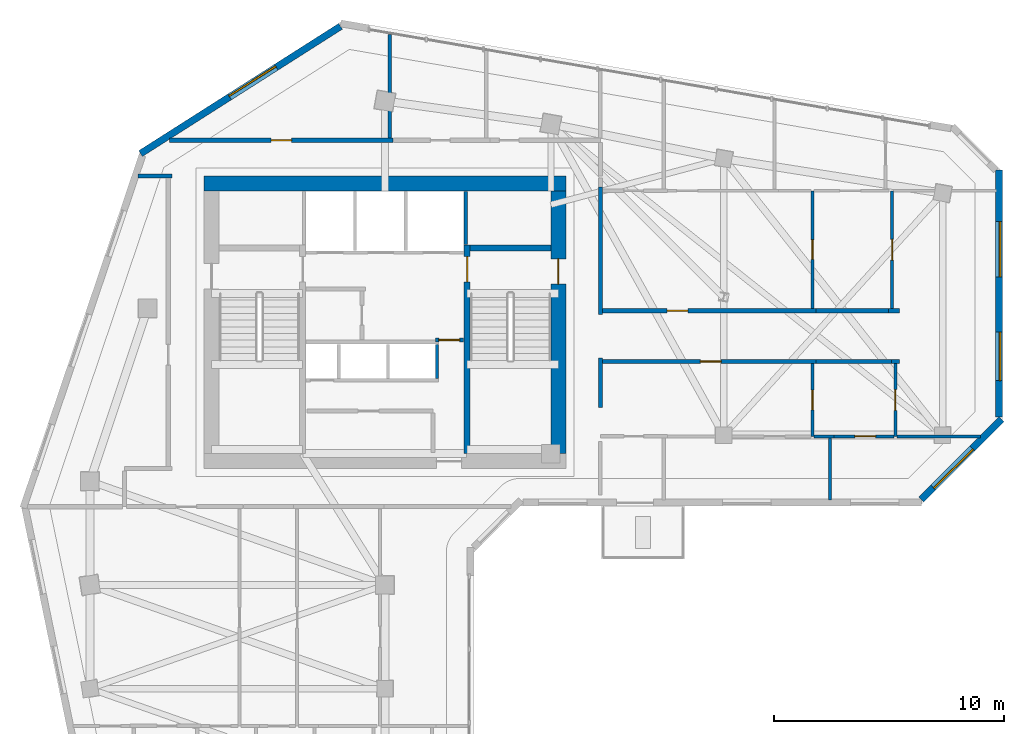
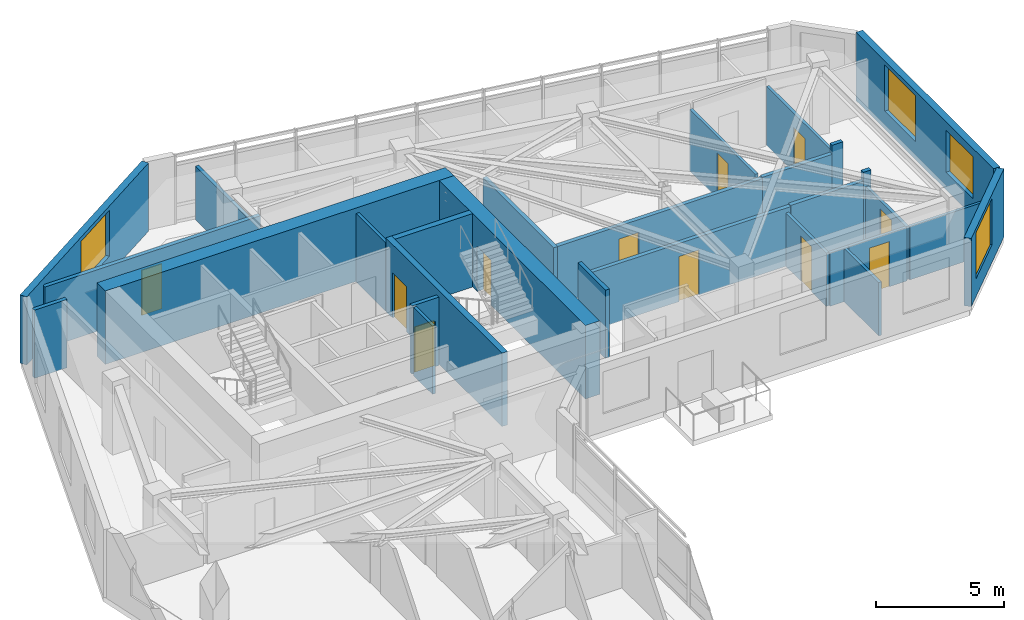
# One storey, part 7 of 11: 29 walls, 11 doors, 4 windows, 15 openings.
"""IFC4 building model written with IfcOpenShell, lengths in metres."""

from ifc_helpers import new_model, si_unit, direction, frame, frame_2d, origin, place, context, subcontext, project, spatial, rectangle, extrude, source, transform, mapped, material, layer, layer_set, type_object, element, fill, save


model = new_model("IFC4")

# Units and contexts
model_context = context("Model", 3, precision=1e-05, world=origin(), true_north=direction((0.0, 1.0)))
body_context = subcontext(model_context, "Body", "Model", "MODEL_VIEW")
ifc_project = project(units=[si_unit("LENGTHUNIT", "METRE"), si_unit("AREAUNIT", "SQUARE_METRE"), si_unit("VOLUMEUNIT", "CUBIC_METRE"), si_unit("PLANEANGLEUNIT", "RADIAN"), si_unit("MASSUNIT", "GRAM", prefix="KILO")], contexts=[model_context])

# Site, building, storey
site_placement = place(None, origin())
site = spatial("IfcSite", under=ifc_project, at=site_placement, CompositionType="ELEMENT")
building_placement = place(site_placement, origin())
building = spatial("IfcBuilding", under=site, at=building_placement, Name="Calvemar Wedge Station Tower", CompositionType="ELEMENT")
storey_placement = place(building_placement, frame((0.0, 0.0, 190.39990234375)))
storey = spatial("IfcBuildingStorey", under=building, at=storey_placement, Name="L47", CompositionType="ELEMENT", Elevation=190.39990234375)

# Wall, opening, door
ifc_material_1 = material(Name="Concrete C50", Category="concrete")
ifc_layer_1 = layer(ifc_material_1, 0.260009765625)
ifc_layer_set_1 = layer_set([ifc_layer_1], Name="Concrete C50")
wall_type_1 = type_object("IfcWallType", Name="SW-CORE-260", PredefinedType="SHEAR", material=ifc_layer_set_1)
wall_1_placement = place(storey_placement, frame((27.3701171875, 34.199951171875, 0.0), z_axis=(0.0, 0.0, 1.0), x_axis=(0.0, 1.0, 0.0)))
wall_1 = element("IfcWall", 1, at=wall_1_placement, inside=storey, type_object=wall_type_1, Name="Storey L47 Core Shear Wall SPINE-E", PredefinedType="SHEAR", context=body_context, shape_type="SweptSolid", body=[
    extrude(rectangle(XDim=9.06005859375, YDim=0.260009765625, at=frame_2d((4.530029296875, 0.0))), origin(), (0.0, 0.0, 1.0), 3.5),
])
shared_shape_1 = source(origin(), body_context, "Body", "SweptSolid", [
    extrude(rectangle(XDim=1.10009765625, YDim=2.14990234375, at=frame_2d((0.550048828125, 1.074951171875))), frame((0.0, 0.14013671875, 0.0), z_axis=(0.0, -1.0, 0.0), x_axis=(1.0, 0.0, 0.0)), (0.0, 0.0, 1.0), 0.280029296875),
])
opening_1_placement = place(wall_1_placement, frame((7.449951171875, 0.0, 0.0)))
opening_1 = element("IfcOpeningElement", 2, at=opening_1_placement, cuts=wall_1, Name="Opening FD-90", PredefinedType="OPENING", context=body_context, shape_type="MappedRepresentation", body=[
    mapped(shared_shape_1, transform((0.0, 0.0, 0.0), scale=1.0)),
])
ifc_material_2 = material(Name="Galvanized fire-rated steel door leaf P-90", Category="steel")
door_type_1 = type_object("IfcDoorType", Name="DR-FD90-1100", OperationType="NOTDEFINED", PredefinedType="DOOR", material=ifc_material_2)
shared_shape_2 = source(origin(), body_context, "Body", "SweptSolid", [
    extrude(rectangle(XDim=1.10009765625, YDim=2.14990234375, at=frame_2d((0.550048828125, 1.074951171875))), frame((0.0, 0.02490234375, 0.0), z_axis=(0.0, -1.0, 0.0), x_axis=(1.0, 0.0, 0.0)), (0.0, 0.0, 1.0), 0.050048828125),
])
door_1_placement = place(opening_1_placement, origin())
door_1 = element("IfcDoor", 3, at=door_1_placement, inside=storey, type_object=door_type_1, Name="L47 FF Lobby to Stair ST-C2 Door", OperationType="SINGLE_SWING_LEFT", OverallHeight=2.14990234375, OverallWidth=1.10009765625, PredefinedType="DOOR", context=body_context, shape_type="MappedRepresentation", body=[
    mapped(shared_shape_2, transform((0.0, 0.0, 0.0), scale=1.0)),
])
fill(opening_1, door_1)

# Walls
wall_2_placement = place(storey_placement, frame((27.5, 43.1298828125, 0.0), z_axis=(0.0, 0.0, 1.0), x_axis=(1.0, 0.0, 0.0)))
element("IfcWall", 4, at=wall_2_placement, inside=storey, type_object=wall_type_1, Name="Storey L47 Core Shear Wall STC2-N", PredefinedType="SHEAR", context=body_context, shape_type="SweptSolid", body=[
    extrude(rectangle(XDim=3.5, YDim=0.260009765625, at=frame_2d((1.75, 0.0))), origin(), (0.0, 0.0, 1.0), 3.5),
])
ifc_material_3 = material(Name="Concrete C60", Category="concrete")
ifc_layer_2 = layer(ifc_material_3, 0.64990234375)
ifc_layer_set_2 = layer_set([ifc_layer_2], Name="Concrete C60")
wall_type_2 = type_object("IfcWallType", Name="SW-CORE-650", PredefinedType="SHEAR", material=ifc_layer_set_2)
wall_3_placement = place(storey_placement, frame((15.949951171875, 45.925048828125, 0.0), z_axis=(0.0, 0.0, 1.0), x_axis=(1.0, 0.0, 0.0)))
element("IfcWall", 5, at=wall_3_placement, inside=storey, type_object=wall_type_2, Name="Storey L47 Core Shear Wall N", PredefinedType="SHEAR", context=body_context, shape_type="SweptSolid", body=[
    extrude(rectangle(XDim=15.699951171875, YDim=0.64990234375, at=frame_2d((7.85009765625, 0.0))), origin(), (0.0, 0.0, 1.0), 3.5),
])

# Wall, opening, door
wall_4_placement = place(storey_placement, frame((31.324951171875, 34.199951171875, 0.0), z_axis=(0.0, 0.0, 1.0), x_axis=(0.0, 1.0, 0.0)))
wall_4 = element("IfcWall", 6, at=wall_4_placement, inside=storey, type_object=wall_type_2, Name="Storey L47 Core Shear Wall E", PredefinedType="SHEAR", context=body_context, shape_type="SweptSolid", body=[
    extrude(rectangle(XDim=11.400146484375, YDim=0.64990234375, at=frame_2d((5.7001953125, 0.0))), origin(), (0.0, 0.0, 1.0), 3.5),
])
shared_shape_3 = source(origin(), body_context, "Body", "SweptSolid", [
    extrude(rectangle(XDim=1.10009765625, YDim=2.14990234375, at=frame_2d((0.550048828125, 1.074951171875))), frame((0.0, 0.3349609375, 0.0), z_axis=(0.0, -1.0, 0.0), x_axis=(1.0, 0.0, 0.0)), (0.0, 0.0, 1.0), 0.669921875),
])
opening_2_placement = place(wall_4_placement, frame((7.35009765625, 0.0, 0.0)))
opening_2 = element("IfcOpeningElement", 7, at=opening_2_placement, cuts=wall_4, Name="Opening FD-90", PredefinedType="OPENING", context=body_context, shape_type="MappedRepresentation", body=[
    mapped(shared_shape_3, transform((0.0, 0.0, 0.0), scale=1.0)),
])
door_2_placement = place(opening_2_placement, origin())
door_2 = element("IfcDoor", 8, at=door_2_placement, inside=storey, type_object=door_type_1, Name="L47 East Corridor to Exit Stair ST-C2 Door", OperationType="SINGLE_SWING_LEFT", OverallHeight=2.14990234375, OverallWidth=1.10009765625, PredefinedType="DOOR", context=body_context, shape_type="MappedRepresentation", body=[
    mapped(shared_shape_2, transform((0.0, 0.0, 0.0), scale=1.0)),
])
fill(opening_2, door_2)

ifc_material_4 = material(Name="Double-stud fire-rated corridor partition")
ifc_layer_3 = layer(ifc_material_4, 0.179931640625)
ifc_layer_set_3 = layer_set([ifc_layer_3], Name="Double-stud fire-rated corridor partition")
wall_type_3 = type_object("IfcWallType", Name="W-CORR-180", PredefinedType="PARTITIONING", material=ifc_layer_set_3)
wall_5_placement = place(storey_placement, frame((27.199951171875, 39.1298828125, 0.0), z_axis=(0.0, 0.0, 1.0), x_axis=(-1.0, 0.0, 0.0)))
wall_5 = element("IfcWall", 9, at=wall_5_placement, inside=storey, type_object=wall_type_3, Name="Storey L47 Interior Partition WL-L47-003", PredefinedType="PARTITIONING", context=body_context, shape_type="SweptSolid", body=[
    extrude(rectangle(XDim=1.2099609375, YDim=0.179931640625, at=frame_2d((0.60498046875, 0.0))), origin(), (0.0, 0.0, 1.0), 3.25),
])
shared_shape_4 = source(origin(), body_context, "Body", "SweptSolid", [
    extrude(rectangle(XDim=0.89990234375, YDim=2.14990234375, at=frame_2d((0.449951171875, 1.074951171875))), frame((0.0, 0.10009765625, 0.0), z_axis=(0.0, -1.0, 0.0), x_axis=(1.0, 0.0, 0.0)), (0.0, 0.0, 1.0), 0.199951171875),
])
opening_3_placement = place(wall_5_placement, frame((0.155029296875, 0.0, 0.0)))
opening_3 = element("IfcOpeningElement", 10, at=opening_3_placement, cuts=wall_5, Name="Opening FD-60", PredefinedType="OPENING", context=body_context, shape_type="MappedRepresentation", body=[
    mapped(shared_shape_4, transform((0.0, 0.0, 0.0), scale=1.0)),
])
ifc_material_5 = material(Name="Fire-rated acoustic timber-core entrance door EI 60", Category="wood")
door_type_2 = type_object("IfcDoorType", Name="DR-FD60-900", OperationType="NOTDEFINED", PredefinedType="DOOR", material=ifc_material_5)
shared_shape_5 = source(origin(), body_context, "Body", "SweptSolid", [
    extrude(rectangle(XDim=0.89990234375, YDim=2.14990234375, at=frame_2d((0.449951171875, 1.074951171875))), frame((0.0, 0.02490234375, 0.0), z_axis=(0.0, -1.0, 0.0), x_axis=(1.0, 0.0, 0.0)), (0.0, 0.0, 1.0), 0.050048828125),
])
door_3_placement = place(opening_3_placement, origin())
door_3 = element("IfcDoor", 11, at=door_3_placement, inside=storey, type_object=door_type_2, Name="L47 Core Service Lobby Door", OperationType="SINGLE_SWING_RIGHT", OverallHeight=2.14990234375, OverallWidth=0.89990234375, PredefinedType="DOOR", context=body_context, shape_type="MappedRepresentation", body=[
    mapped(shared_shape_5, transform((0.0, 0.0, 0.0), scale=1.0)),
])
fill(opening_3, door_3)

# Wall
wall_6_placement = place(storey_placement, frame((14.56005859375, 46.25, 0.0), z_axis=(0.0, 0.0, 1.0), x_axis=(-1.0, 0.0, 0.0)))
element("IfcWall", 12, at=wall_6_placement, inside=storey, type_object=wall_type_3, Name="Storey L47 Interior Partition WL-L47-013", PredefinedType="PARTITIONING", context=body_context, shape_type="SweptSolid", body=[
    extrude(rectangle(XDim=1.46875, YDim=0.179931640625, at=frame_2d((0.734375, 0.0))), origin(), (0.0, 0.0, 1.0), 3.25),
])

# Wall, opening, door
wall_7_placement = place(storey_placement, frame((14.45263671875, 47.800048828125, 0.0), z_axis=(0.0, 0.0, 1.0), x_axis=(1.0, 0.0, 0.0)))
wall_7 = element("IfcWall", 13, at=wall_7_placement, inside=storey, type_object=wall_type_3, Name="Storey L47 Interior Partition WL-L47-014", PredefinedType="PARTITIONING", context=body_context, shape_type="SweptSolid", body=[
    extrude(rectangle(XDim=9.707275390625, YDim=0.179931640625, at=frame_2d((4.853515625, 0.0))), origin(), (0.0, 0.0, 1.0), 2.93408203125),
])
opening_4_placement = place(wall_7_placement, frame((4.40380859375, 0.0, 0.0)))
opening_4 = element("IfcOpeningElement", 14, at=opening_4_placement, cuts=wall_7, Name="Opening D-01", PredefinedType="OPENING", context=body_context, shape_type="MappedRepresentation", body=[
    mapped(shared_shape_4, transform((0.0, 0.0, 0.0), scale=1.0)),
])
ifc_material_6 = material(Name="Architectural hardwood acoustic swing door", Category="wood")
door_type_3 = type_object("IfcDoorType", Name="DR-INT-900", OperationType="NOTDEFINED", PredefinedType="DOOR", material=ifc_material_6)
shared_shape_6 = source(origin(), body_context, "Body", "SweptSolid", [
    extrude(rectangle(XDim=0.89990234375, YDim=2.14990234375, at=frame_2d((0.449951171875, 1.074951171875))), frame((0.0, 0.02490234375, 0.0), z_axis=(0.0, -1.0, 0.0), x_axis=(1.0, 0.0, 0.0)), (0.0, 0.0, 1.0), 0.050048828125),
])
door_4_placement = place(opening_4_placement, origin())
door_4 = element("IfcDoor", 15, at=door_4_placement, inside=storey, type_object=door_type_3, Name="L47 Resident Reading Study Door", OperationType="SINGLE_SWING_LEFT", OverallHeight=2.14990234375, OverallWidth=0.89990234375, PredefinedType="DOOR", context=body_context, shape_type="MappedRepresentation", body=[
    mapped(shared_shape_6, transform((0.0, 0.0, 0.0), scale=1.0)),
])
fill(opening_4, door_4)

# Walls
wall_8_placement = place(storey_placement, frame((33.14990234375, 45.76611328125, 0.0), z_axis=(0.0, 0.0, 1.0), x_axis=(0.0, -1.0, 0.0)))
element("IfcWall", 16, at=wall_8_placement, inside=storey, type_object=wall_type_3, Name="Storey L47 Interior Partition WL-L47-018", PredefinedType="PARTITIONING", context=body_context, shape_type="SweptSolid", body=[
    extrude(rectangle(XDim=5.526123046875, YDim=0.179931640625, at=frame_2d((2.76318359375, 0.0))), origin(), (0.0, 0.0, 1.0), 2.822021484375),
])
wall_9_placement = place(storey_placement, frame((33.14990234375, 38.360107421875, 0.0), z_axis=(0.0, 0.0, 1.0), x_axis=(0.0, -1.0, 0.0)))
element("IfcWall", 17, at=wall_9_placement, inside=storey, type_object=wall_type_3, Name="Storey L47 Interior Partition WL-L47-020", PredefinedType="PARTITIONING", context=body_context, shape_type="SweptSolid", body=[
    extrude(rectangle(XDim=2.16015625, YDim=0.179931640625, at=frame_2d((1.080078125, 0.0))), origin(), (0.0, 0.0, 1.0), 3.25),
])
wall_10_placement = place(storey_placement, frame((45.64794921875, 40.39990234375, 0.0), z_axis=(0.0, 0.0, 1.0), x_axis=(1.0, 0.0, 0.0)))
element("IfcWall", 18, at=wall_10_placement, inside=storey, type_object=wall_type_3, Name="Storey L47 Interior Partition WL-L47-025", PredefinedType="PARTITIONING", context=body_context, shape_type="SweptSolid", body=[
    extrude(rectangle(XDim=0.487060546875, YDim=0.179931640625, at=frame_2d((0.24365234375, 0.0))), origin(), (0.0, 0.0, 1.0), 3.25),
])

# Wall, opening, door
wall_11_placement = place(storey_placement, frame((33.243896484375, 40.39990234375, 0.0), z_axis=(0.0, 0.0, 1.0), x_axis=(1.0, 0.0, 0.0)))
wall_11 = element("IfcWall", 19, at=wall_11_placement, inside=storey, type_object=wall_type_3, Name="Storey L47 Interior Partition WL-L47-026", PredefinedType="PARTITIONING", context=body_context, shape_type="SweptSolid", body=[
    extrude(rectangle(XDim=9.26611328125, YDim=0.179931640625, at=frame_2d((4.633056640625, 0.0))), origin(), (0.0, 0.0, 1.0), 2.76611328125),
])
opening_5_placement = place(wall_11_placement, frame((2.802001953125, 0.0, 0.0)))
opening_5 = element("IfcOpeningElement", 20, at=opening_5_placement, cuts=wall_11, Name="Opening FD-60", PredefinedType="OPENING", context=body_context, shape_type="MappedRepresentation", body=[
    mapped(shared_shape_4, transform((0.0, 0.0, 0.0), scale=1.0)),
])
door_5_placement = place(opening_5_placement, origin())
door_5 = element("IfcDoor", 21, at=door_5_placement, inside=storey, type_object=door_type_2, Name="L47 Living Dining Door", OperationType="SINGLE_SWING_LEFT", OverallHeight=2.14990234375, OverallWidth=0.89990234375, PredefinedType="DOOR", context=body_context, shape_type="MappedRepresentation", body=[
    mapped(shared_shape_5, transform((0.0, 0.0, 0.0), scale=1.0)),
])
fill(opening_5, door_5)

# Walls
wall_12_placement = place(storey_placement, frame((42.511962890625, 40.39990234375, 0.0), z_axis=(0.0, 0.0, 1.0), x_axis=(1.0, 0.0, 0.0)))
element("IfcWall", 22, at=wall_12_placement, inside=storey, type_object=wall_type_3, Name="Storey L47 Interior Partition WL-L47-027", PredefinedType="PARTITIONING", context=body_context, shape_type="SweptSolid", body=[
    extrude(rectangle(XDim=3.134033203125, YDim=0.179931640625, at=frame_2d((1.56689453125, 0.0))), origin(), (0.0, 0.0, 1.0), 2.822021484375),
])
wall_13_placement = place(storey_placement, frame((46.135009765625, 38.199951171875, 0.0), z_axis=(0.0, 0.0, 1.0), x_axis=(-1.0, 0.0, 0.0)))
element("IfcWall", 23, at=wall_13_placement, inside=storey, type_object=wall_type_3, Name="Storey L47 Interior Partition WL-L47-028", PredefinedType="PARTITIONING", context=body_context, shape_type="SweptSolid", body=[
    extrude(rectangle(XDim=0.344970703125, YDim=0.179931640625, at=frame_2d((0.17236328125, 0.0))), origin(), (0.0, 0.0, 1.0), 3.25),
])

# Wall, opening, door
wall_14_placement = place(storey_placement, frame((42.510009765625, 38.199951171875, 0.0), z_axis=(0.0, 0.0, 1.0), x_axis=(-1.0, 0.0, 0.0)))
wall_14 = element("IfcWall", 24, at=wall_14_placement, inside=storey, type_object=wall_type_3, Name="Storey L47 Interior Partition WL-L47-029", PredefinedType="PARTITIONING", context=body_context, shape_type="SweptSolid", body=[
    extrude(rectangle(XDim=9.26611328125, YDim=0.179931640625, at=frame_2d((4.633056640625, 0.0))), origin(), (0.0, 0.0, 1.0), 2.76611328125),
])
opening_6_placement = place(wall_14_placement, frame((4.123046875, 0.0, 0.0)))
opening_6 = element("IfcOpeningElement", 25, at=opening_6_placement, cuts=wall_14, Name="Opening FD-60", PredefinedType="OPENING", context=body_context, shape_type="MappedRepresentation", body=[
    mapped(shared_shape_4, transform((0.0, 0.0, 0.0), scale=1.0)),
])
door_6_placement = place(opening_6_placement, origin())
door_6 = element("IfcDoor", 26, at=door_6_placement, inside=storey, type_object=door_type_2, Name="L47 Living Dining Door", OperationType="SINGLE_SWING_RIGHT", OverallHeight=2.14990234375, OverallWidth=0.89990234375, PredefinedType="DOOR", context=body_context, shape_type="MappedRepresentation", body=[
    mapped(shared_shape_5, transform((0.0, 0.0, 0.0), scale=1.0)),
])
fill(opening_6, door_6)

# Wall
wall_15_placement = place(storey_placement, frame((45.7880859375, 38.199951171875, 0.0), z_axis=(0.0, 0.0, 1.0), x_axis=(-1.0, 0.0, 0.0)))
element("IfcWall", 27, at=wall_15_placement, inside=storey, type_object=wall_type_3, Name="Storey L47 Interior Partition WL-L47-030", PredefinedType="PARTITIONING", context=body_context, shape_type="SweptSolid", body=[
    extrude(rectangle(XDim=3.276123046875, YDim=0.179931640625, at=frame_2d((1.63818359375, 0.0))), origin(), (0.0, 0.0, 1.0), 2.822021484375),
])

# Wall, opening, window
ifc_material_7 = material(Name="Precast concrete C45", Category="concrete")
ifc_layer_4 = layer(ifc_material_7, 0.300048828125)
ifc_layer_set_4 = layer_set([ifc_layer_4], Name="Precast concrete C45")
wall_type_4 = type_object("IfcWallType", Name="W-EXT-GFRC-300", PredefinedType="SOLIDWALL", material=ifc_layer_set_4)
wall_16_placement = place(storey_placement, frame((47.075927734375, 32.2119140625, 0.0), z_axis=(0.0, 0.0, 1.0), x_axis=(0.707106781187, 0.707106781187, 0.0)))
wall_16 = element("IfcWall", 28, at=wall_16_placement, inside=storey, type_object=wall_type_4, Name="Storey L47 Bronze GFRC Exterior Wall 7", PredefinedType="SOLIDWALL", context=body_context, shape_type="SweptSolid", body=[
    extrude(rectangle(XDim=4.921875, YDim=0.300048828125, at=frame_2d((2.4609375, 0.0))), origin(), (0.0, 0.0, 1.0), 3.25),
])
shared_shape_7 = source(origin(), body_context, "Body", "SweptSolid", [
    extrude(rectangle(XDim=2.39990234375, YDim=2.199951171875, at=frame_2d((1.199951171875, 1.10009765625))), frame((0.0, 0.16015625, 0.0), z_axis=(0.0, -1.0, 0.0), x_axis=(1.0, 0.0, 0.0)), (0.0, 0.0, 1.0), 0.320068359375),
])
opening_7_placement = place(wall_16_placement, frame((0.72900390625, 0.0, 0.85009765625)))
opening_7 = element("IfcOpeningElement", 29, at=opening_7_placement, cuts=wall_16, Name="Opening W1", PredefinedType="OPENING", context=body_context, shape_type="MappedRepresentation", body=[
    mapped(shared_shape_7, transform((0.0, 0.0, 0.0), scale=1.0)),
])
ifc_material_8 = material(Name="Low-E laminated insulated glass", Category="glass")
window_type_1 = type_object("IfcWindowType", Name="WIN-EXT-1", PartitioningType="SINGLE_PANEL", PredefinedType="WINDOW", material=ifc_material_8)
shared_shape_8 = source(origin(), body_context, "Body", "SweptSolid", [
    extrude(rectangle(XDim=2.39990234375, YDim=2.199951171875, at=frame_2d((1.199951171875, 1.10009765625))), frame((0.0, -0.014892578125, 0.0), z_axis=(0.0, -1.0, 0.0), x_axis=(1.0, 0.0, 0.0)), (0.0, 0.0, 1.0), 0.06005859375),
])
window_1_placement = place(opening_7_placement, origin())
window_1 = element("IfcWindow", 30, at=window_1_placement, inside=storey, type_object=window_type_1, Name="Storey L47 Recessed Window 7.1", OverallHeight=2.199951171875, OverallWidth=2.39990234375, PartitioningType="SINGLE_PANEL", PredefinedType="WINDOW", context=body_context, shape_type="MappedRepresentation", body=[
    mapped(shared_shape_8, transform((0.0, 0.0, 0.0), scale=1.0)),
])
fill(opening_7, window_1)

# Wall, openings, windows
wall_17_placement = place(storey_placement, frame((50.449951171875, 35.78125, 0.0), z_axis=(0.0, 0.0, 1.0), x_axis=(0.0, 1.0, 0.0)))
wall_17 = element("IfcWall", 31, at=wall_17_placement, inside=storey, type_object=wall_type_4, Name="Storey L47 Bronze GFRC Exterior Wall 8", PredefinedType="SOLIDWALL", context=body_context, shape_type="SweptSolid", body=[
    extrude(rectangle(XDim=10.730712890625, YDim=0.300048828125, at=frame_2d((5.365234375, 0.0))), origin(), (0.0, 0.0, 1.0), 3.25),
])
shared_shape_9 = source(origin(), body_context, "Body", "SweptSolid", [
    extrude(rectangle(XDim=2.10009765625, YDim=2.0, at=frame_2d((1.050048828125, 1.0))), frame((0.0, 0.16015625, 0.0), z_axis=(0.0, -1.0, 0.0), x_axis=(1.0, 0.0, 0.0)), (0.0, 0.0, 1.0), 0.320068359375),
])
opening_8_placement = place(wall_17_placement, frame((1.591064453125, 0.0, 0.85009765625)))
opening_8 = element("IfcOpeningElement", 32, at=opening_8_placement, cuts=wall_17, Name="Opening W4", PredefinedType="OPENING", context=body_context, shape_type="MappedRepresentation", body=[
    mapped(shared_shape_9, transform((0.0, 0.0, 0.0), scale=1.0)),
])
opening_9_placement = place(wall_17_placement, frame((6.083984375, 0.0, 0.85009765625)))
opening_9 = element("IfcOpeningElement", 33, at=opening_9_placement, cuts=wall_17, Name="Opening W1", PredefinedType="OPENING", context=body_context, shape_type="MappedRepresentation", body=[
    mapped(shared_shape_7, transform((0.0, 0.0, 0.0), scale=1.0)),
])
window_type_2 = type_object("IfcWindowType", Name="WIN-EXT-4", PartitioningType="SINGLE_PANEL", PredefinedType="WINDOW", material=ifc_material_8)
shared_shape_10 = source(origin(), body_context, "Body", "SweptSolid", [
    extrude(rectangle(XDim=2.10009765625, YDim=2.0, at=frame_2d((1.050048828125, 1.0))), frame((0.0, -0.014892578125, 0.0), z_axis=(0.0, -1.0, 0.0), x_axis=(1.0, 0.0, 0.0)), (0.0, 0.0, 1.0), 0.06005859375),
])
window_2_placement = place(opening_8_placement, origin())
window_2 = element("IfcWindow", 34, at=window_2_placement, inside=storey, type_object=window_type_2, Name="Storey L47 Recessed Window 8.1", OverallHeight=2.0, OverallWidth=2.10009765625, PartitioningType="SINGLE_PANEL", PredefinedType="WINDOW", context=body_context, shape_type="MappedRepresentation", body=[
    mapped(shared_shape_10, transform((0.0, 0.0, 0.0), scale=1.0)),
])
fill(opening_8, window_2)
window_3_placement = place(opening_9_placement, origin())
window_3 = element("IfcWindow", 35, at=window_3_placement, inside=storey, type_object=window_type_1, Name="Storey L47 Recessed Window 8.2", OverallHeight=2.199951171875, OverallWidth=2.39990234375, PartitioningType="SINGLE_PANEL", PredefinedType="WINDOW", context=body_context, shape_type="MappedRepresentation", body=[
    mapped(shared_shape_8, transform((0.0, 0.0, 0.0), scale=1.0)),
])
fill(opening_9, window_3)

# Wall, opening, window
wall_18_placement = place(storey_placement, frame((21.87451171875, 52.7421875, 0.0), z_axis=(0.0, 0.0, 1.0), x_axis=(-0.843666375448, -0.536867811419, 0.0)))
wall_18 = element("IfcWall", 36, at=wall_18_placement, inside=storey, type_object=wall_type_4, Name="Storey L47 Bronze GFRC Exterior Wall 11", PredefinedType="SOLIDWALL", context=body_context, shape_type="SweptSolid", body=[
    extrude(rectangle(XDim=10.28369140625, YDim=0.300048828125, at=frame_2d((5.141845703125, 0.0))), origin(), (0.0, 0.0, 1.0), 3.25),
])
opening_10_placement = place(wall_18_placement, frame((3.306884765625, 0.0, 0.85009765625)))
opening_10 = element("IfcOpeningElement", 37, at=opening_10_placement, cuts=wall_18, Name="Opening W1", PredefinedType="OPENING", context=body_context, shape_type="MappedRepresentation", body=[
    mapped(shared_shape_7, transform((0.0, 0.0, 0.0), scale=1.0)),
])
window_4_placement = place(opening_10_placement, origin())
window_4 = element("IfcWindow", 38, at=window_4_placement, inside=storey, type_object=window_type_1, Name="Storey L47 Recessed Window 11.1", OverallHeight=2.199951171875, OverallWidth=2.39990234375, PartitioningType="SINGLE_PANEL", PredefinedType="WINDOW", context=body_context, shape_type="MappedRepresentation", body=[
    mapped(shared_shape_8, transform((0.0, 0.0, 0.0), scale=1.0)),
])
fill(opening_10, window_4)

# Walls
ifc_material_9 = material(Name="Reinforced concrete blockwork lift shaft wall", Category="masonry")
ifc_layer_5 = layer(ifc_material_9, 0.139892578125)
ifc_layer_set_5 = layer_set([ifc_layer_5], Name="Reinforced concrete blockwork lift shaft wall")
wall_type_5 = type_object("IfcWallType", Name="W-LIFT-160", PredefinedType="SOLIDWALL", material=ifc_layer_set_5)
wall_19_placement = place(storey_placement, frame((27.31005859375, 43.280029296875, 0.0), z_axis=(0.0, 0.0, 1.0), x_axis=(0.0, 1.0, 0.0)))
element("IfcWall", 39, at=wall_19_placement, inside=storey, type_object=wall_type_5, Name="Storey L47 Firefighting Lift Shaft Enclosure Wall E", PredefinedType="SOLIDWALL", context=body_context, shape_type="SweptSolid", body=[
    extrude(rectangle(XDim=2.300048828125, YDim=0.139892578125, at=frame_2d((1.14990234375, 0.0))), origin(), (0.0, 0.0, 1.0), 3.25),
])
wall_20_placement = place(storey_placement, frame((26.06005859375, 37.4599609375, 0.0), z_axis=(0.0, 0.0, 1.0), x_axis=(0.0, 1.0, 0.0)))
element("IfcWall", 40, at=wall_20_placement, inside=storey, type_object=wall_type_5, Name="Storey L47 Upper Passenger Lift Shaft Wall E", PredefinedType="SOLIDWALL", context=body_context, shape_type="SweptSolid", body=[
    extrude(rectangle(XDim=1.47998046875, YDim=0.139892578125, at=frame_2d((0.739990234375, 0.0))), origin(), (0.0, 0.0, 1.0), 3.25),
])

# Wall, opening, door
ifc_material_10 = material(Name="Insulated acoustic gypsum stud partition")
ifc_layer_6 = layer(ifc_material_10, 0.125)
ifc_layer_set_6 = layer_set([ifc_layer_6], Name="Insulated acoustic gypsum stud partition")
wall_type_6 = type_object("IfcWallType", Name="W-PART-125", PredefinedType="PARTITIONING", material=ifc_layer_set_6)
wall_21_placement = place(storey_placement, frame((45.80810546875, 40.493896484375, 0.0), z_axis=(0.0, 0.0, 1.0), x_axis=(0.0, 1.0, 0.0)))
wall_21 = element("IfcWall", 41, at=wall_21_placement, inside=storey, type_object=wall_type_6, Name="Storey L47 Interior Partition WL-L47-031", PredefinedType="PARTITIONING", context=body_context, shape_type="SweptSolid", body=[
    extrude(rectangle(XDim=5.112060546875, YDim=0.125, at=frame_2d((2.55615234375, 0.0))), origin(), (0.0, 0.0, 1.0), 2.822021484375),
])
shared_shape_11 = source(origin(), body_context, "Body", "SweptSolid", [
    extrude(rectangle(XDim=0.89990234375, YDim=2.14990234375, at=frame_2d((0.449951171875, 1.074951171875))), frame((0.0, 0.072509765625, 0.0), z_axis=(0.0, -1.0, 0.0), x_axis=(1.0, 0.0, 0.0)), (0.0, 0.0, 1.0), 0.14501953125),
])
opening_11_placement = place(wall_21_placement, frame((2.10595703125, 0.0, 0.0)))
opening_11 = element("IfcOpeningElement", 42, at=opening_11_placement, cuts=wall_21, Name="Opening D-01", PredefinedType="OPENING", context=body_context, shape_type="MappedRepresentation", body=[
    mapped(shared_shape_11, transform((0.0, 0.0, 0.0), scale=1.0)),
])
door_7_placement = place(opening_11_placement, origin())
door_7 = element("IfcDoor", 43, at=door_7_placement, inside=storey, type_object=door_type_3, Name="L47 Study Door", OperationType="SINGLE_SWING_RIGHT", OverallHeight=2.14990234375, OverallWidth=0.89990234375, PredefinedType="DOOR", context=body_context, shape_type="MappedRepresentation", body=[
    mapped(shared_shape_6, transform((0.0, 0.0, 0.0), scale=1.0)),
])
fill(opening_11, door_7)

wall_22_placement = place(storey_placement, frame((42.35009765625, 45.60595703125, 0.0), z_axis=(0.0, 0.0, 1.0), x_axis=(0.0, -1.0, 0.0)))
wall_22 = element("IfcWall", 44, at=wall_22_placement, inside=storey, type_object=wall_type_6, Name="Storey L47 Interior Partition WL-L47-033", PredefinedType="PARTITIONING", context=body_context, shape_type="SweptSolid", body=[
    extrude(rectangle(XDim=5.112060546875, YDim=0.125, at=frame_2d((2.55615234375, 0.0))), origin(), (0.0, 0.0, 1.0), 2.93408203125),
])
shared_shape_12 = source(origin(), body_context, "Body", "SweptSolid", [
    extrude(rectangle(XDim=0.85009765625, YDim=2.14990234375, at=frame_2d((0.425048828125, 1.074951171875))), frame((0.0, 0.072509765625, 0.0), z_axis=(0.0, -1.0, 0.0), x_axis=(1.0, 0.0, 0.0)), (0.0, 0.0, 1.0), 0.14501953125),
])
opening_12_placement = place(wall_22_placement, frame((2.131103515625, 0.0, 0.0)))
opening_12 = element("IfcOpeningElement", 45, at=opening_12_placement, cuts=wall_22, Name="Opening D-02", PredefinedType="OPENING", context=body_context, shape_type="MappedRepresentation", body=[
    mapped(shared_shape_12, transform((0.0, 0.0, 0.0), scale=1.0)),
])
ifc_material_11 = material(Name="Moisture-sealed bathroom hardwood swing door", Category="wood")
door_type_4 = type_object("IfcDoorType", Name="DR-WET-850", OperationType="NOTDEFINED", PredefinedType="DOOR", material=ifc_material_11)
shared_shape_13 = source(origin(), body_context, "Body", "SweptSolid", [
    extrude(rectangle(XDim=0.85009765625, YDim=2.14990234375, at=frame_2d((0.425048828125, 1.074951171875))), frame((0.0, 0.02490234375, 0.0), z_axis=(0.0, -1.0, 0.0), x_axis=(1.0, 0.0, 0.0)), (0.0, 0.0, 1.0), 0.050048828125),
])
door_8_placement = place(opening_12_placement, origin())
door_8 = element("IfcDoor", 46, at=door_8_placement, inside=storey, type_object=door_type_4, Name="L47 Kitchen Door", OperationType="SINGLE_SWING_RIGHT", OverallHeight=2.14990234375, OverallWidth=0.85009765625, PredefinedType="DOOR", context=body_context, shape_type="MappedRepresentation", body=[
    mapped(shared_shape_13, transform((0.0, 0.0, 0.0), scale=1.0)),
])
fill(opening_12, door_8)

wall_23_placement = place(storey_placement, frame((45.949951171875, 34.949951171875, 0.0), z_axis=(0.0, 0.0, 1.0), x_axis=(0.0, 1.0, 0.0)))
wall_23 = element("IfcWall", 47, at=wall_23_placement, inside=storey, type_object=wall_type_6, Name="Storey L47 Interior Partition WL-L47-041", PredefinedType="PARTITIONING", context=body_context, shape_type="SweptSolid", body=[
    extrude(rectangle(XDim=3.156005859375, YDim=0.125, at=frame_2d((1.578125, 0.0))), origin(), (0.0, 0.0, 1.0), 2.5419921875),
])
opening_13_placement = place(wall_23_placement, frame((1.1279296875, 0.0, 0.0)))
opening_13 = element("IfcOpeningElement", 48, at=opening_13_placement, cuts=wall_23, Name="Opening D-01", PredefinedType="OPENING", context=body_context, shape_type="MappedRepresentation", body=[
    mapped(shared_shape_11, transform((0.0, 0.0, 0.0), scale=1.0)),
])
door_9_placement = place(opening_13_placement, origin())
door_9 = element("IfcDoor", 49, at=door_9_placement, inside=storey, type_object=door_type_3, Name="L47 Study Door", OperationType="SINGLE_SWING_LEFT", OverallHeight=2.14990234375, OverallWidth=0.89990234375, PredefinedType="DOOR", context=body_context, shape_type="MappedRepresentation", body=[
    mapped(shared_shape_6, transform((0.0, 0.0, 0.0), scale=1.0)),
])
fill(opening_13, door_9)

# Wall
wall_24_placement = place(storey_placement, frame((49.651123046875, 34.949951171875, 0.0), z_axis=(0.0, 0.0, 1.0), x_axis=(-1.0, 0.0, 0.0)))
element("IfcWall", 50, at=wall_24_placement, inside=storey, type_object=wall_type_6, Name="Storey L47 Interior Partition WL-L47-042", PredefinedType="PARTITIONING", context=body_context, shape_type="SweptSolid", body=[
    extrude(rectangle(XDim=3.634521484375, YDim=0.125, at=frame_2d((1.8173828125, 0.0))), origin(), (0.0, 0.0, 1.0), 2.5419921875),
])

# Wall, opening, door
wall_25_placement = place(storey_placement, frame((42.35009765625, 38.10595703125, 0.0), z_axis=(0.0, 0.0, 1.0), x_axis=(0.0, -1.0, 0.0)))
wall_25 = element("IfcWall", 51, at=wall_25_placement, inside=storey, type_object=wall_type_6, Name="Storey L47 Interior Partition WL-L47-043", PredefinedType="PARTITIONING", context=body_context, shape_type="SweptSolid", body=[
    extrude(rectangle(XDim=3.156005859375, YDim=0.125, at=frame_2d((1.578125, 0.0))), origin(), (0.0, 0.0, 1.0), 2.5419921875),
])
opening_14_placement = place(wall_25_placement, frame((1.153076171875, 0.0, 0.0)))
opening_14 = element("IfcOpeningElement", 52, at=opening_14_placement, cuts=wall_25, Name="Opening D-02", PredefinedType="OPENING", context=body_context, shape_type="MappedRepresentation", body=[
    mapped(shared_shape_12, transform((0.0, 0.0, 0.0), scale=1.0)),
])
door_10_placement = place(opening_14_placement, origin())
door_10 = element("IfcDoor", 53, at=door_10_placement, inside=storey, type_object=door_type_4, Name="L47 Kitchen Door", OperationType="SINGLE_SWING_LEFT", OverallHeight=2.14990234375, OverallWidth=0.85009765625, PredefinedType="DOOR", context=body_context, shape_type="MappedRepresentation", body=[
    mapped(shared_shape_13, transform((0.0, 0.0, 0.0), scale=1.0)),
])
fill(opening_14, door_10)

# Wall
wall_26_placement = place(storey_placement, frame((43.277099609375, 34.949951171875, 0.0), z_axis=(0.0, 0.0, 1.0), x_axis=(-1.0, 0.0, 0.0)))
element("IfcWall", 54, at=wall_26_placement, inside=storey, type_object=wall_type_6, Name="Storey L47 Interior Partition WL-L47-046", PredefinedType="PARTITIONING", context=body_context, shape_type="SweptSolid", body=[
    extrude(rectangle(XDim=0.860595703125, YDim=0.125, at=frame_2d((0.43017578125, 0.0))), origin(), (0.0, 0.0, 1.0), 2.5419921875),
])

# Wall, opening, door
wall_27_placement = place(storey_placement, frame((45.883544921875, 34.949951171875, 0.0), z_axis=(0.0, 0.0, 1.0), x_axis=(-1.0, 0.0, 0.0)))
wall_27 = element("IfcWall", 55, at=wall_27_placement, inside=storey, type_object=wall_type_6, Name="Storey L47 Interior Partition WL-L47-047", PredefinedType="PARTITIONING", context=body_context, shape_type="SweptSolid", body=[
    extrude(rectangle(XDim=2.6044921875, YDim=0.125, at=frame_2d((1.30224609375, 0.0))), origin(), (0.0, 0.0, 1.0), 2.5419921875),
])
opening_15_placement = place(wall_27_placement, frame((0.788818359375, 0.0, 0.0)))
opening_15 = element("IfcOpeningElement", 56, at=opening_15_placement, cuts=wall_27, Name="Opening D-01", PredefinedType="OPENING", context=body_context, shape_type="MappedRepresentation", body=[
    mapped(shared_shape_11, transform((0.0, 0.0, 0.0), scale=1.0)),
])
door_11_placement = place(opening_15_placement, origin())
door_11 = element("IfcDoor", 57, at=door_11_placement, inside=storey, type_object=door_type_3, Name="L47 Master Bedroom Door", OperationType="SINGLE_SWING_RIGHT", OverallHeight=2.14990234375, OverallWidth=0.89990234375, PredefinedType="DOOR", context=body_context, shape_type="MappedRepresentation", body=[
    mapped(shared_shape_6, transform((0.0, 0.0, 0.0), scale=1.0)),
])
fill(opening_15, door_11)

# Walls
wall_28_placement = place(storey_placement, frame((43.116943359375, 34.883544921875, 0.0), z_axis=(0.0, 0.0, 1.0), x_axis=(0.0, -1.0, 0.0)))
element("IfcWall", 58, at=wall_28_placement, inside=storey, type_object=wall_type_6, Name="Storey L47 Interior Partition WL-L47-049", PredefinedType="PARTITIONING", context=body_context, shape_type="SweptSolid", body=[
    extrude(rectangle(XDim=2.694580078125, YDim=0.125, at=frame_2d((1.34716796875, 0.0))), origin(), (0.0, 0.0, 1.0), 2.5419921875),
])
ifc_material_12 = material(Name="Moisture-resistant acoustic bathroom partition")
ifc_layer_7 = layer(ifc_material_12, 0.14990234375)
ifc_layer_set_7 = layer_set([ifc_layer_7], Name="Moisture-resistant acoustic bathroom partition")
wall_type_7 = type_object("IfcWallType", Name="W-WET-150", PredefinedType="PARTITIONING", material=ifc_layer_set_7)
wall_29_placement = place(storey_placement, frame((24.0, 52.386962890625, 0.0), z_axis=(0.0, 0.0, 1.0), x_axis=(0.0, -1.0, 0.0)))
element("IfcWall", 59, at=wall_29_placement, inside=storey, type_object=wall_type_7, Name="Storey L47 Interior Partition WL-L47-022", PredefinedType="PARTITIONING", context=body_context, shape_type="SweptSolid", body=[
    extrude(rectangle(XDim=4.492919921875, YDim=0.14990234375, at=frame_2d((2.24658203125, 0.0))), origin(), (0.0, 0.0, 1.0), 2.5419921875),
])

save(model, "model.ifc")
